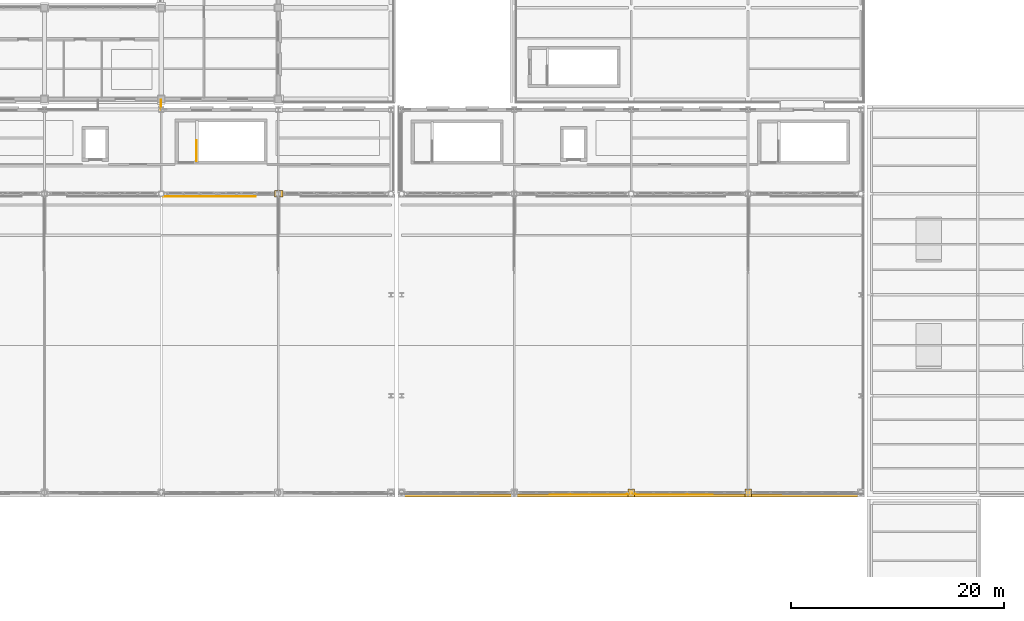
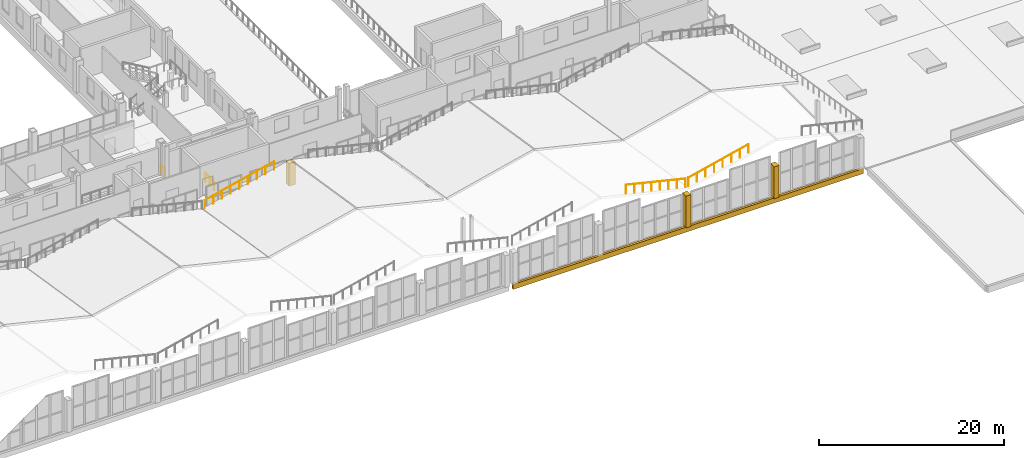
# One storey, part 107 of 120: 5 railings, 4 coverings.
"""IFC4 building model written with IfcOpenShell, lengths in metres."""

from ifc_helpers import new_model, si_unit, direction, frame, frame_2d, origin, origin_2d, place, context, subcontext, project, spatial, rectangle, circle, extrude, material, layer, layer_set, type_object, element, save


model = new_model("IFC4")

# Units and contexts
model_context = context("Model", 3, precision=1e-05, world=origin(), true_north=direction((0.0, 1.0)))
body_context = subcontext(model_context, "Body", "Model", "MODEL_VIEW")
ifc_project = project(units=[si_unit("LENGTHUNIT", "METRE"), si_unit("AREAUNIT", "SQUARE_METRE"), si_unit("VOLUMEUNIT", "CUBIC_METRE"), si_unit("PLANEANGLEUNIT", "RADIAN"), si_unit("MASSUNIT", "GRAM", prefix="KILO")], contexts=[model_context])

# Site, building, storey
site_placement = place(None, origin())
site = spatial("IfcSite", under=ifc_project, at=site_placement, CompositionType="ELEMENT")
building_placement = place(site_placement, origin())
building = spatial("IfcBuilding", under=site, at=building_placement, Name="Caurita Quay Ferry Terminal", CompositionType="ELEMENT")
storey_placement = place(building_placement, frame((0.0, 0.0, 9.89990234375)))
storey = spatial("IfcBuildingStorey", under=building, at=storey_placement, Name="L02", CompositionType="ELEMENT", Elevation=9.89990234375)

# Coverings
ifc_material_1 = material(Name="Coral stone ashlar cladding", Category="masonry")
ifc_layer_1 = layer(ifc_material_1, 0.239990234375, Name="Classical coral-stone entablature and cornice moulding 240 mm")
ifc_layer_set_1 = layer_set([ifc_layer_1], Name="Coral stone ashlar cladding")
covering_type_1 = type_object("IfcCoveringType", Name="COV-ENT-MLD", PredefinedType="MOLDING", material=ifc_layer_set_1)
covering_1_placement = place(storey_placement, frame((88.35009765625, 34.340087890625, -0.599853515625), z_axis=(0.0, 0.0, 1.0), x_axis=(1.0, 0.0, 0.0)))
element("IfcCovering", 1, at=covering_1_placement, inside=storey, type_object=covering_type_1, Name="L02 Classical Entablature Cornice 043", PredefinedType="MOLDING", context=body_context, shape_type="SweptSolid", body=[
    extrude(rectangle(XDim=43.699951171875, YDim=0.280029296875, at=frame_2d((21.85009765625, 0.0))), origin(), (0.0, 0.0, 1.0), 0.659912109375),
])
ifc_material_2 = material(Name="Warm-white lime stucco masonry", Category="masonry")
ifc_layer_2 = layer(ifc_material_2, 0.179931640625, Name="Classical engaged lime-stucco facade pilaster cladding 180 mm")
ifc_layer_set_2 = layer_set([ifc_layer_2], Name="Warm-white lime stucco masonry")
covering_type_2 = type_object("IfcCoveringType", Name="COV-PIL-CLD", PredefinedType="CLADDING", material=ifc_layer_set_2)
covering_2_placement = place(storey_placement, frame((77.050048828125, 62.699951171875, 0.0), z_axis=(0.0, 0.0, 1.0), x_axis=(1.0, 0.0, 0.0)))
element("IfcCovering", 2, at=covering_2_placement, inside=storey, type_object=covering_type_2, Name="L02 Classical Engaged Pilaster 0065", PredefinedType="CLADDING", context=body_context, shape_type="SweptSolid", body=[
    extrude(rectangle(XDim=0.7880859375, YDim=0.6279296875, at=origin_2d()), origin(), (0.0, 0.0, 1.0), 3.0),
])
for number, where, z_axis, x_axis, name in (
    (3, (110.199951171875, 34.550048828125, 0.0), (0.0, 0.0, 1.0), (1.0, 0.0, 0.0), "L02 Classical Engaged Pilaster 0098"),
    (4, (121.199951171875, 34.550048828125, 0.0), (0.0, 0.0, 1.0), (1.0, 0.0, 0.0), "L02 Classical Engaged Pilaster 0105"),
):
    element("IfcCovering", number, at=place(storey_placement, frame(where, z_axis=z_axis, x_axis=x_axis)), inside=storey, type_object=covering_type_2, Name=name, PredefinedType="CLADDING", context=body_context, shape_type="SweptSolid", body=[
        extrude(rectangle(XDim=0.6279296875, YDim=0.7880859375, at=origin_2d()), origin(), (0.0, 0.0, 1.0), 4.199951171875),
    ])

# Railings
ifc_material_3 = material(Name="Bronze architectural metalwork", Category="metal")
railing_type = type_object("IfcRailingType", Name="RL-REJA-115", PredefinedType="BALUSTRADE", material=ifc_material_3)
railing_1_placement = place(storey_placement, frame((65.949951171875, 71.550048828125, 0.0)))
element("IfcRailing", 5, at=railing_1_placement, inside=storey, type_object=railing_type, Name="L02 North East Link Bridge East Guard (055)", PredefinedType="BALUSTRADE", context=body_context, shape_type="SweptSolid", body=[
    extrude(circle(Radius=0.02392578125, at=origin_2d()), frame((0.0, 0.0, 1.1259765625), z_axis=(0.0, -1.0, 0.0), x_axis=(1.0, 0.0, 0.0)), (0.0, 0.0, 1.0), 0.900146484375),
    extrude(circle(Radius=0.02099609375, at=origin_2d()), origin(), (0.0, 0.0, 1.0), 1.101806640625),
    extrude(circle(Radius=0.02099609375, at=origin_2d()), frame((0.0, -0.900146484375, 0.0)), (0.0, 0.0, 1.0), 1.101806640625),
])
railing_2_placement = place(storey_placement, frame((66.179931640625, 62.449951171875, 0.68310546875)))
element("IfcRailing", 6, at=railing_2_placement, inside=storey, type_object=railing_type, Name="Folded Roof Bay 4 Landside Promenade Guard LW", PredefinedType="BALUSTRADE", context=body_context, shape_type="SweptSolid", body=[
    extrude(circle(Radius=0.02392578125, at=origin_2d()), frame((0.0, 0.0, 1.1259765625), z_axis=(0.972381833796, 0.0, 0.233395735401), x_axis=(0.0, 1.0, 0.0)), (0.0, 0.0, 1.0), 8.91650390625),
    extrude(circle(Radius=0.02099609375, at=origin_2d()), origin(), (0.0, 0.0, 1.0), 1.101806640625),
    extrude(circle(Radius=0.02099609375, at=origin_2d()), frame((1.083740234375, 0.0, 0.26025390625)), (0.0, 0.0, 1.0), 1.101806640625),
    extrude(circle(Radius=0.02099609375, at=origin_2d()), frame((2.16748046875, 0.0, 0.520263671875)), (0.0, 0.0, 1.0), 1.101806640625),
    extrude(circle(Radius=0.02099609375, at=origin_2d()), frame((3.251220703125, 0.0, 0.7802734375)), (0.0, 0.0, 1.0), 1.101806640625),
    extrude(circle(Radius=0.02099609375, at=origin_2d()), frame((4.3349609375, 0.0, 1.04052734375)), (0.0, 0.0, 1.0), 1.101806640625),
    extrude(circle(Radius=0.02099609375, at=origin_2d()), frame((5.4189453125, 0.0, 1.30078125)), (0.0, 0.0, 1.0), 1.101806640625),
    extrude(circle(Radius=0.02099609375, at=origin_2d()), frame((6.502685546875, 0.0, 1.560791015625)), (0.0, 0.0, 1.0), 1.101806640625),
    extrude(circle(Radius=0.02099609375, at=origin_2d()), frame((7.58642578125, 0.0, 1.82080078125)), (0.0, 0.0, 1.0), 1.101806640625),
    extrude(circle(Radius=0.02099609375, at=origin_2d()), frame((8.670166015625, 0.0, 2.0810546875)), (0.0, 0.0, 1.0), 1.101806640625),
])
railing_3_placement = place(storey_placement, frame((102.550048828125, 34.449951171875, 6.9560546875)))
element("IfcRailing", 7, at=railing_3_placement, inside=storey, type_object=railing_type, Name="Folded Roof Bay 5 Waterside Eave Guard E", PredefinedType="BALUSTRADE", context=body_context, shape_type="SweptSolid", body=[
    extrude(circle(Radius=0.02392578125, at=origin_2d()), frame((0.0, 0.0, 1.1259765625), z_axis=(0.972382109193, 0.0, -0.233394588029), x_axis=(0.0, 1.0, 0.0)), (0.0, 0.0, 1.0), 7.68212890625),
    extrude(circle(Radius=0.02099609375, at=origin_2d()), origin(), (0.0, 0.0, 1.0), 1.101806640625),
    extrude(circle(Radius=0.02099609375, at=origin_2d()), frame((1.067138671875, 0.0, -0.256103515625)), (0.0, 0.0, 1.0), 1.101806640625),
    extrude(circle(Radius=0.02099609375, at=origin_2d()), frame((2.13427734375, 0.0, -0.51220703125)), (0.0, 0.0, 1.0), 1.101806640625),
    extrude(circle(Radius=0.02099609375, at=origin_2d()), frame((3.201416015625, 0.0, -0.768310546875)), (0.0, 0.0, 1.0), 1.101806640625),
    extrude(circle(Radius=0.02099609375, at=origin_2d()), frame((4.2685546875, 0.0, -1.024658203125)), (0.0, 0.0, 1.0), 1.101806640625),
    extrude(circle(Radius=0.02099609375, at=origin_2d()), frame((5.335693359375, 0.0, -1.28076171875)), (0.0, 0.0, 1.0), 1.101806640625),
    extrude(circle(Radius=0.02099609375, at=origin_2d()), frame((6.40283203125, 0.0, -1.536865234375)), (0.0, 0.0, 1.0), 1.101806640625),
    extrude(circle(Radius=0.02099609375, at=origin_2d()), frame((7.469970703125, 0.0, -1.79296875)), (0.0, 0.0, 1.0), 1.101806640625),
])
railing_4_placement = place(storey_placement, frame((110.3798828125, 34.449951171875, 5.1630859375)))
element("IfcRailing", 8, at=railing_4_placement, inside=storey, type_object=railing_type, Name="Folded Roof Bay 6 Waterside Eave Guard W", PredefinedType="BALUSTRADE", context=body_context, shape_type="SweptSolid", body=[
    extrude(circle(Radius=0.02392578125, at=origin_2d()), frame((0.0, 0.0, 1.1259765625), z_axis=(0.972383840283, 0.0, 0.233387375745), x_axis=(0.0, 1.0, 0.0)), (0.0, 0.0, 1.0), 7.682373046875),
    extrude(circle(Radius=0.02099609375, at=origin_2d()), origin(), (0.0, 0.0, 1.0), 1.101806640625),
    extrude(circle(Radius=0.02099609375, at=origin_2d()), frame((1.067138671875, 0.0, 0.256103515625)), (0.0, 0.0, 1.0), 1.101806640625),
    extrude(circle(Radius=0.02099609375, at=origin_2d()), frame((2.13427734375, 0.0, 0.51220703125)), (0.0, 0.0, 1.0), 1.101806640625),
    extrude(circle(Radius=0.02099609375, at=origin_2d()), frame((3.201416015625, 0.0, 0.768310546875)), (0.0, 0.0, 1.0), 1.101806640625),
    extrude(circle(Radius=0.02099609375, at=origin_2d()), frame((4.268798828125, 0.0, 1.024658203125)), (0.0, 0.0, 1.0), 1.101806640625),
    extrude(circle(Radius=0.02099609375, at=origin_2d()), frame((5.3359375, 0.0, 1.28076171875)), (0.0, 0.0, 1.0), 1.101806640625),
    extrude(circle(Radius=0.02099609375, at=origin_2d()), frame((6.403076171875, 0.0, 1.536865234375)), (0.0, 0.0, 1.0), 1.101806640625),
    extrude(circle(Radius=0.02099609375, at=origin_2d()), frame((7.47021484375, 0.0, 1.79296875)), (0.0, 0.0, 1.0), 1.101806640625),
])
railing_5_placement = place(storey_placement, frame((69.300048828125, 65.800048828125, 0.0)))
element("IfcRailing", 9, at=railing_5_placement, inside=storey, type_object=railing_type, Name="L02 ST-07 top well guard 1", PredefinedType="BALUSTRADE", context=body_context, shape_type="SweptSolid", body=[
    extrude(circle(Radius=0.02392578125, at=origin_2d()), frame((0.0, 0.0, 1.1259765625), z_axis=(0.0, 1.0, 0.0), x_axis=(-1.0, 0.0, 0.0)), (0.0, 0.0, 1.0), 1.909912109375),
    extrude(circle(Radius=0.02099609375, at=origin_2d()), origin(), (0.0, 0.0, 1.0), 1.101806640625),
    extrude(circle(Radius=0.02099609375, at=origin_2d()), frame((0.0, 0.955078125, 0.0)), (0.0, 0.0, 1.0), 1.101806640625),
    extrude(circle(Radius=0.02099609375, at=origin_2d()), frame((0.0, 1.909912109375, 0.0)), (0.0, 0.0, 1.0), 1.101806640625),
])

save(model, "model.ifc")
